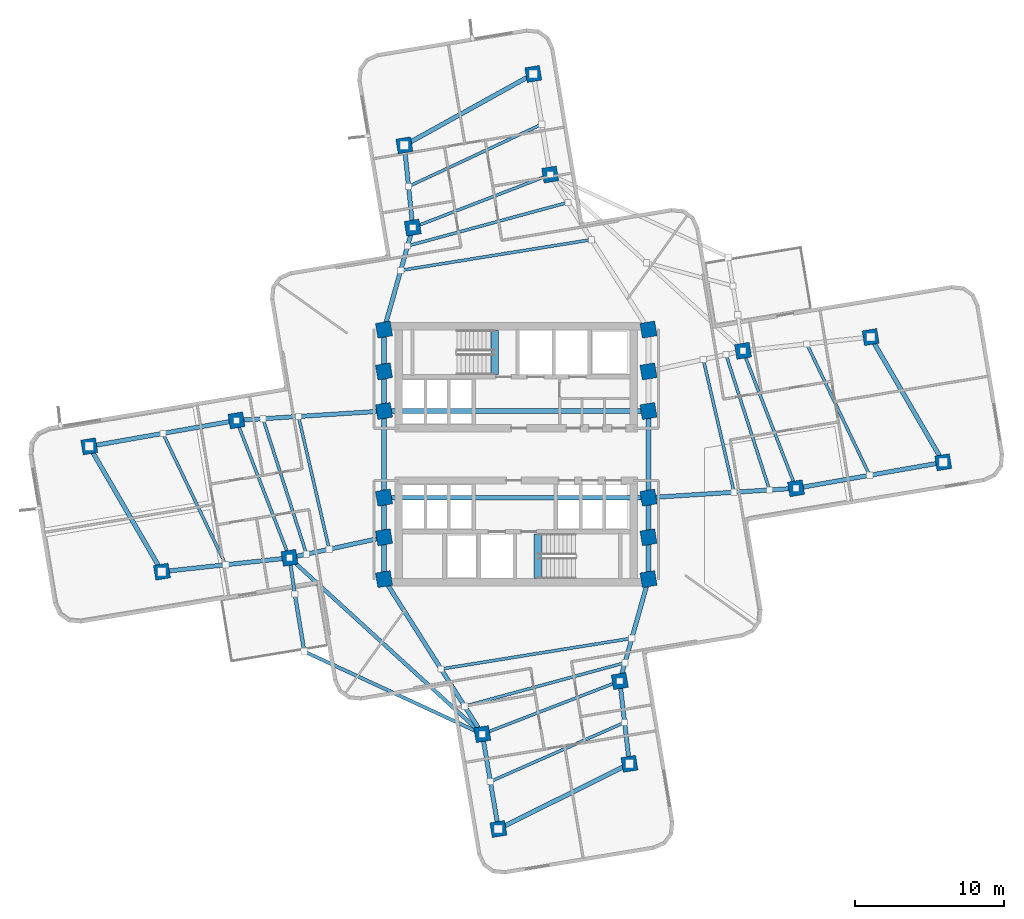
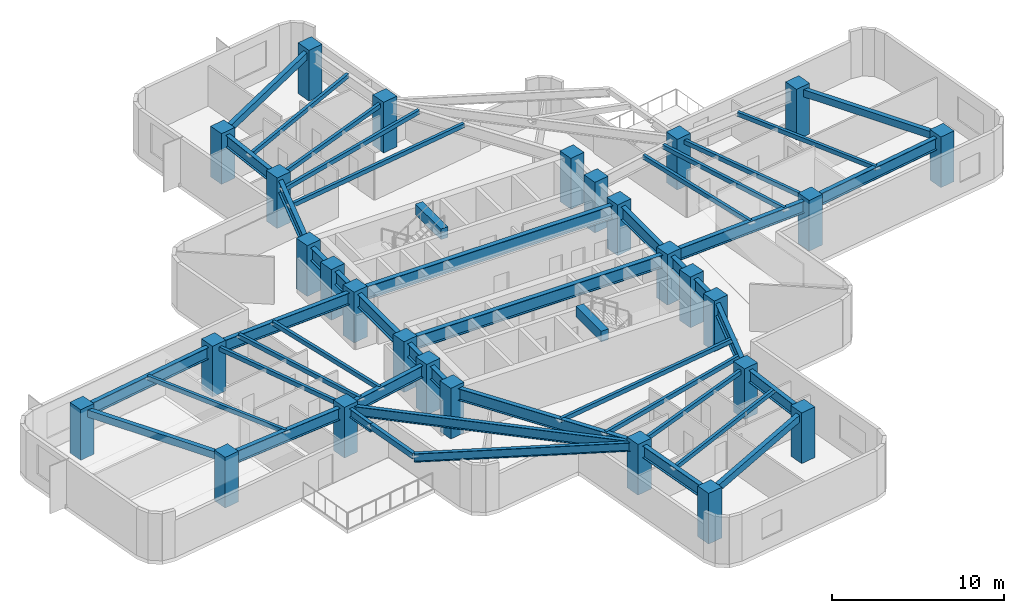
# One storey, part 1 of 9: 48 beams, 28 columns.
"""IFC4 building model written with IfcOpenShell, lengths in metres."""

from ifc_helpers import new_model, si_unit, direction, frame, origin, origin_2d, place, context, subcontext, project, spatial, rectangle, hollow_rectangle, i_section, extrude, material, material_profile, profile_set, type_object, element, save


model = new_model("IFC4")

# Units and contexts
model_context = context("Model", 3, precision=1e-05, world=origin(), true_north=direction((0.0, 1.0)))
body_context = subcontext(model_context, "Body", "Model", "MODEL_VIEW")
ifc_project = project(units=[si_unit("LENGTHUNIT", "METRE"), si_unit("AREAUNIT", "SQUARE_METRE"), si_unit("VOLUMEUNIT", "CUBIC_METRE"), si_unit("PLANEANGLEUNIT", "RADIAN"), si_unit("MASSUNIT", "GRAM", prefix="KILO")], contexts=[model_context])

# Site, building, storey
site_placement = place(None, origin())
site = spatial("IfcSite", under=ifc_project, at=site_placement, CompositionType="ELEMENT")
building_placement = place(site_placement, origin())
building = spatial("IfcBuilding", under=site, at=building_placement, Name="Solmarez Civic Tower", CompositionType="ELEMENT")
storey_placement = place(building_placement, frame((0.0, 0.0, 92.8798828125)))
storey = spatial("IfcBuildingStorey", under=building, at=storey_placement, Name="L24", CompositionType="ELEMENT", Elevation=92.8798828125)

# Columns
ifc_material_1 = material(Name="Concrete C60/75", Category="concrete")
ifc_material_profile_1 = material_profile(ifc_material_1, rectangle(XDim=1.0, YDim=1.0, at=origin_2d()), Name="RC1000X1000")
ifc_profile_set_1 = profile_set([ifc_material_profile_1], Name="Concrete C60/75")
column_type = type_object("IfcColumnType", Name="COL-RC1000", PredefinedType="COLUMN", material=ifc_profile_set_1)
for number, where, z_axis, x_axis, name in (
    (1, (-8.85009765625, -5.550048828125, 0.0), (0.0, 0.0, 1.0), (0.986572161607, 0.163325962242, 0.0), "L24 Structural Column HC1"),
    (2, (-8.85009765625, -2.89990234375, 0.0), (0.0, 0.0, 1.0), (0.986572161607, 0.163325962242, 0.0), "L24 Structural Column HC2"),
    (3, (-8.85009765625, 2.89990234375, 0.0), (0.0, 0.0, 1.0), (0.986572161607, 0.163325962242, 0.0), "L24 Structural Column HC3"),
    (4, (-8.85009765625, 5.550048828125, 0.0), (0.0, 0.0, 1.0), (0.986572161607, 0.163325962242, 0.0), "L24 Structural Column HC4"),
    (5, (8.85009765625, -5.550048828125, 0.0), (0.0, 0.0, 1.0), (0.986572161607, 0.163325962242, 0.0), "L24 Structural Column HC5"),
    (6, (8.85009765625, -2.89990234375, 0.0), (0.0, 0.0, 1.0), (0.986572161607, 0.163325962242, 0.0), "L24 Structural Column HC6"),
    (7, (8.85009765625, 2.89990234375, 0.0), (0.0, 0.0, 1.0), (0.986572161607, 0.163325962242, 0.0), "L24 Structural Column HC7"),
    (8, (8.85009765625, 5.550048828125, 0.0), (0.0, 0.0, 1.0), (0.986572161607, 0.163325962242, 0.0), "L24 Structural Column HC8"),
    (9, (-8.85009765625, 8.35009765625, 0.0), (0.0, 0.0, 1.0), (0.986572161607, 0.163325962242, 0.0), "L24 Structural Column HC9"),
    (10, (8.85009765625, -8.35009765625, 0.0), (0.0, 0.0, 1.0), (0.986572161607, 0.163325962242, 0.0), "L24 Structural Column HC10"),
    (11, (8.85009765625, 8.35009765625, 0.0), (0.0, 0.0, 1.0), (0.986572161607, 0.163325962242, 0.0), "L24 Structural Column HC11"),
    (12, (-8.85009765625, -8.35009765625, 0.0), (0.0, 0.0, 1.0), (0.986572161607, 0.163325962242, 0.0), "L24 Structural Column HC12"),
    (13, (18.72412109375, -2.27099609375, 0.0), (0.0, 0.0, 1.0), (0.986572161607, 0.163325962242, 0.0), "L24 Structural Column EA11"),
    (14, (15.175048828125, 6.927001953125, 0.0), (0.0, 0.0, 1.0), (0.986572161607, 0.163325962242, 0.0), "L24 Structural Column EA12"),
    (15, (28.575927734375, -0.532958984375, 0.0), (0.0, 0.0, 1.0), (0.986572161607, 0.163325962242, 0.0), "L24 Structural Column EA21"),
    (16, (23.715087890625, 7.85107421875, 0.0), (0.0, 0.0, 1.0), (0.986572161607, 0.163325962242, 0.0), "L24 Structural Column EA22"),
    (17, (2.27099609375, 18.72412109375, 0.0), (0.0, 0.0, 1.0), (0.986572161607, 0.163325962242, 0.0), "L24 Structural Column NA11"),
    (18, (-6.927001953125, 15.175048828125, 0.0), (0.0, 0.0, 1.0), (0.986572161607, 0.163325962242, 0.0), "L24 Structural Column NA12"),
    (19, (1.138916015625, 25.45703125, 0.0), (0.0, 0.0, 1.0), (0.986572161607, 0.163325962242, 0.0), "L24 Structural Column NA21"),
    (20, (-7.489013671875, 20.678955078125, 0.0), (0.0, 0.0, 1.0), (0.986572161607, 0.163325962242, 0.0), "L24 Structural Column NA22"),
    (21, (-18.72412109375, 2.27099609375, 0.0), (0.0, 0.0, 1.0), (0.986572161607, 0.163325962242, 0.0), "L24 Structural Column WA11"),
    (22, (-15.175048828125, -6.927001953125, 0.0), (0.0, 0.0, 1.0), (0.986572161607, 0.163325962242, 0.0), "L24 Structural Column WA12"),
    (23, (-28.575927734375, 0.532958984375, 0.0), (0.0, 0.0, 1.0), (0.986572161607, 0.163325962242, 0.0), "L24 Structural Column WA21"),
    (24, (-23.715087890625, -7.85107421875, 0.0), (0.0, 0.0, 1.0), (0.986572161607, 0.163325962242, 0.0), "L24 Structural Column WA22"),
    (25, (-2.27099609375, -18.72412109375, 0.0), (0.0, 0.0, 1.0), (0.986572161607, 0.163325962242, 0.0), "L24 Structural Column SA11"),
    (26, (6.927001953125, -15.175048828125, 0.0), (0.0, 0.0, 1.0), (0.986572161607, 0.163325962242, 0.0), "L24 Structural Column SA12"),
    (27, (-1.195068359375, -25.073974609375, 0.0), (0.0, 0.0, 1.0), (0.986572161607, 0.163325962242, 0.0), "L24 Structural Column SA21"),
    (28, (7.573974609375, -20.714111328125, 0.0), (0.0, 0.0, 1.0), (0.986572161607, 0.163325962242, 0.0), "L24 Structural Column SA22"),
):
    element("IfcColumn", number, at=place(storey_placement, frame(where, z_axis=z_axis, x_axis=x_axis)), inside=storey, type_object=column_type, Name=name, PredefinedType="COLUMN", context=body_context, shape_type="SweptSolid", body=[
        extrude(rectangle(XDim=1.0, YDim=1.0, at=origin_2d()), origin(), (0.0, 0.0, 1.0), 3.60009765625),
    ])

# Beams
ifc_material_2 = material(Name="Steel S355", Category="steel")
ifc_material_profile_2 = material_profile(ifc_material_2, hollow_rectangle(XDim=0.199951171875, YDim=0.300048828125, WallThickness=0.011962890625, at=origin_2d()), Name="HSS300X200X12")
ifc_profile_set_2 = profile_set([ifc_material_profile_2], Name="Steel S355")
beam_type_1 = type_object("IfcBeamType", Name="BM-JS-HSS300X200", PredefinedType="JOIST", material=ifc_profile_set_2)
beam_1_placement = place(storey_placement, frame((18.72412109375, -2.27099609375, 3.190185546875), z_axis=(-0.359984466214, 0.932958297077, 0.0), x_axis=(-0.932958297077, -0.359984466214, 0.0)))
element("IfcBeam", 29, at=beam_1_placement, inside=storey, type_object=beam_type_1, Name="L24 Secondary Floor Joist BM-L24-EA-T1", PredefinedType="JOIST", context=body_context, shape_type="SweptSolid", body=[
    extrude(hollow_rectangle(XDim=0.199951171875, YDim=0.300048828125, WallThickness=0.011962890625, at=origin_2d()), origin(), (0.0, 0.0, 1.0), 9.85888671875),
])
beam_2_placement = place(storey_placement, frame((23.64990234375, -1.402099609375, 3.190185546875), z_axis=(-0.431491843414, 0.902116837814, 0.0), x_axis=(-0.902116837814, -0.431491843414, 0.0)))
element("IfcBeam", 30, at=beam_2_placement, inside=storey, type_object=beam_type_1, Name="L24 Secondary Floor Joist JS-L24-EA-M2", PredefinedType="JOIST", context=body_context, shape_type="SweptSolid", body=[
    extrude(hollow_rectangle(XDim=0.199951171875, YDim=0.300048828125, WallThickness=0.011962890625, at=origin_2d()), origin(), (0.0, 0.0, 1.0), 9.744873046875),
])
beam_3_placement = place(storey_placement, frame((14.576904296875, -2.534912109375, 3.190185546875), z_axis=(-0.225762717226, 0.974182321494, 0.0), x_axis=(-0.974182321494, -0.225762717226, 0.0)))
element("IfcBeam", 31, at=beam_3_placement, inside=storey, type_object=beam_type_1, Name="L24 Secondary Floor Joist JS-L24-EA-M11", PredefinedType="JOIST", context=body_context, shape_type="SweptSolid", body=[
    extrude(hollow_rectangle(XDim=0.199951171875, YDim=0.300048828125, WallThickness=0.011962890625, at=origin_2d()), origin(), (0.0, 0.0, 1.0), 9.119384765625),
])
beam_4_placement = place(storey_placement, frame((16.947021484375, -2.384033203125, 3.190185546875), z_axis=(-0.305705295997, 0.952126184914, 0.0), x_axis=(-0.952126184914, -0.305705295997, 0.0)))
element("IfcBeam", 32, at=beam_4_placement, inside=storey, type_object=beam_type_1, Name="L24 Secondary Floor Joist JS-L24-EA-M12", PredefinedType="JOIST", context=body_context, shape_type="SweptSolid", body=[
    extrude(hollow_rectangle(XDim=0.199951171875, YDim=0.300048828125, WallThickness=0.011962890625, at=origin_2d()), origin(), (0.0, 0.0, 1.0), 9.518798828125),
])
beam_5_placement = place(storey_placement, frame((2.27099609375, 18.72412109375, 3.190185546875), z_axis=(-0.932958297077, -0.359984466214, 0.0), x_axis=(0.359984466214, -0.932958297077, 0.0)))
element("IfcBeam", 33, at=beam_5_placement, inside=storey, type_object=beam_type_1, Name="L24 Secondary Floor Joist BM-L24-NA-T1", PredefinedType="JOIST", context=body_context, shape_type="SweptSolid", body=[
    extrude(hollow_rectangle(XDim=0.199951171875, YDim=0.300048828125, WallThickness=0.011962890625, at=origin_2d()), origin(), (0.0, 0.0, 1.0), 9.85888671875),
])
beam_6_placement = place(storey_placement, frame((1.705078125, 22.090087890625, 3.190185546875), z_axis=(-0.906041066986, -0.423189774138, 0.0), x_axis=(0.423189774138, -0.906041066986, 0.0)))
element("IfcBeam", 34, at=beam_6_placement, inside=storey, type_object=beam_type_1, Name="L24 Secondary Floor Joist JS-L24-NA-M2", PredefinedType="JOIST", context=body_context, shape_type="SweptSolid", body=[
    extrude(hollow_rectangle(XDim=0.199951171875, YDim=0.300048828125, WallThickness=0.011962890625, at=origin_2d()), origin(), (0.0, 0.0, 1.0), 9.83740234375),
])
beam_7_placement = place(storey_placement, frame((5.033935546875, 14.366943359375, 3.190185546875), z_axis=(-0.987261309887, -0.159107215423, 0.0), x_axis=(0.159107215423, -0.987261309887, 0.0)))
element("IfcBeam", 35, at=beam_7_placement, inside=storey, type_object=beam_type_1, Name="L24 Secondary Floor Joist JS-L24-NA-M11", PredefinedType="JOIST", context=body_context, shape_type="SweptSolid", body=[
    extrude(hollow_rectangle(XDim=0.199951171875, YDim=0.300048828125, WallThickness=0.011962890625, at=origin_2d()), origin(), (0.0, 0.0, 1.0), 12.933837890625),
])
beam_8_placement = place(storey_placement, frame((3.455078125, 16.85693359375, 3.190185546875), z_axis=(-0.965126314795, -0.261784637614, 0.0), x_axis=(0.261784637614, -0.965126314795, 0.0)))
element("IfcBeam", 36, at=beam_8_placement, inside=storey, type_object=beam_type_1, Name="L24 Secondary Floor Joist JS-L24-NA-M12", PredefinedType="JOIST", context=body_context, shape_type="SweptSolid", body=[
    extrude(hollow_rectangle(XDim=0.199951171875, YDim=0.300048828125, WallThickness=0.011962890625, at=origin_2d()), origin(), (0.0, 0.0, 1.0), 11.11572265625),
])
beam_9_placement = place(storey_placement, frame((-18.72412109375, 2.27099609375, 3.190185546875), z_axis=(0.359984466214, -0.932958297077, 0.0), x_axis=(0.932958297077, 0.359984466214, 0.0)))
element("IfcBeam", 37, at=beam_9_placement, inside=storey, type_object=beam_type_1, Name="L24 Secondary Floor Joist BM-L24-WA-T1", PredefinedType="JOIST", context=body_context, shape_type="SweptSolid", body=[
    extrude(hollow_rectangle(XDim=0.199951171875, YDim=0.300048828125, WallThickness=0.011962890625, at=origin_2d()), origin(), (0.0, 0.0, 1.0), 9.85888671875),
])
beam_10_placement = place(storey_placement, frame((-23.64990234375, 1.402099609375, 3.190185546875), z_axis=(0.431491843414, -0.902116837814, 0.0), x_axis=(0.902116837814, 0.431491843414, 0.0)))
element("IfcBeam", 38, at=beam_10_placement, inside=storey, type_object=beam_type_1, Name="L24 Secondary Floor Joist JS-L24-WA-M2", PredefinedType="JOIST", context=body_context, shape_type="SweptSolid", body=[
    extrude(hollow_rectangle(XDim=0.199951171875, YDim=0.300048828125, WallThickness=0.011962890625, at=origin_2d()), origin(), (0.0, 0.0, 1.0), 9.744873046875),
])
beam_11_placement = place(storey_placement, frame((-14.576904296875, 2.534912109375, 3.190185546875), z_axis=(0.225762717226, -0.974182321494, 0.0), x_axis=(0.974182321494, 0.225762717226, 0.0)))
element("IfcBeam", 39, at=beam_11_placement, inside=storey, type_object=beam_type_1, Name="L24 Secondary Floor Joist JS-L24-WA-M11", PredefinedType="JOIST", context=body_context, shape_type="SweptSolid", body=[
    extrude(hollow_rectangle(XDim=0.199951171875, YDim=0.300048828125, WallThickness=0.011962890625, at=origin_2d()), origin(), (0.0, 0.0, 1.0), 9.119384765625),
])
beam_12_placement = place(storey_placement, frame((-16.947021484375, 2.384033203125, 3.190185546875), z_axis=(0.305705295997, -0.952126184914, 0.0), x_axis=(0.952126184914, 0.305705295997, 0.0)))
element("IfcBeam", 40, at=beam_12_placement, inside=storey, type_object=beam_type_1, Name="L24 Secondary Floor Joist JS-L24-WA-M12", PredefinedType="JOIST", context=body_context, shape_type="SweptSolid", body=[
    extrude(hollow_rectangle(XDim=0.199951171875, YDim=0.300048828125, WallThickness=0.011962890625, at=origin_2d()), origin(), (0.0, 0.0, 1.0), 9.518798828125),
])
beam_13_placement = place(storey_placement, frame((-2.27099609375, -18.72412109375, 3.190185546875), z_axis=(0.932958297077, 0.359984466214, 0.0), x_axis=(-0.359984466214, 0.932958297077, 0.0)))
element("IfcBeam", 41, at=beam_13_placement, inside=storey, type_object=beam_type_1, Name="L24 Secondary Floor Joist BM-L24-SA-T1", PredefinedType="JOIST", context=body_context, shape_type="SweptSolid", body=[
    extrude(hollow_rectangle(XDim=0.199951171875, YDim=0.300048828125, WallThickness=0.011962890625, at=origin_2d()), origin(), (0.0, 0.0, 1.0), 9.85888671875),
])
beam_14_placement = place(storey_placement, frame((-1.73291015625, -21.89892578125, 3.190185546875), z_axis=(0.915226616427, 0.402939499905, 0.0), x_axis=(-0.402939499905, 0.915226616427, 0.0)))
element("IfcBeam", 42, at=beam_14_placement, inside=storey, type_object=beam_type_1, Name="L24 Secondary Floor Joist JS-L24-SA-M2", PredefinedType="JOIST", context=body_context, shape_type="SweptSolid", body=[
    extrude(hollow_rectangle(XDim=0.199951171875, YDim=0.300048828125, WallThickness=0.011962890625, at=origin_2d()), origin(), (0.0, 0.0, 1.0), 9.81494140625),
])
beam_15_placement = place(storey_placement, frame((-5.033935546875, -14.366943359375, 3.190185546875), z_axis=(0.987261309887, 0.159107215423, 0.0), x_axis=(-0.159107215423, 0.987261309887, 0.0)))
element("IfcBeam", 43, at=beam_15_placement, inside=storey, type_object=beam_type_1, Name="L24 Secondary Floor Joist JS-L24-SA-M11", PredefinedType="JOIST", context=body_context, shape_type="SweptSolid", body=[
    extrude(hollow_rectangle(XDim=0.199951171875, YDim=0.300048828125, WallThickness=0.011962890625, at=origin_2d()), origin(), (0.0, 0.0, 1.0), 12.933837890625),
])
beam_16_placement = place(storey_placement, frame((-3.455078125, -16.85693359375, 3.190185546875), z_axis=(0.965126314795, 0.261784637614, 0.0), x_axis=(-0.261784637614, 0.965126314795, 0.0)))
element("IfcBeam", 44, at=beam_16_placement, inside=storey, type_object=beam_type_1, Name="L24 Secondary Floor Joist JS-L24-SA-M12", PredefinedType="JOIST", context=body_context, shape_type="SweptSolid", body=[
    extrude(hollow_rectangle(XDim=0.199951171875, YDim=0.300048828125, WallThickness=0.011962890625, at=origin_2d()), origin(), (0.0, 0.0, 1.0), 11.11572265625),
])
ifc_material_3 = material(Name="Concrete C50/60", Category="concrete")
ifc_material_profile_3 = material_profile(ifc_material_3, rectangle(XDim=0.5, YDim=0.75, at=origin_2d()), Name="RC500X750")
ifc_profile_set_3 = profile_set([ifc_material_profile_3], Name="Concrete C50/60")
beam_type_2 = type_object("IfcBeamType", Name="BM-PR-RC500X750", PredefinedType="BEAM", material=ifc_profile_set_3)
for number, where, z_axis, x_axis, name in (
    (45, (-1.449951171875, 5.340087890625, 3.233154296875), (0.0, 1.0, 0.0), (-1.0, 0.0, 0.0), "L24 North Stair Threshold Beam"),
    (46, (1.449951171875, -8.300048828125, 3.233154296875), (0.0, 1.0, 0.0), (-1.0, 0.0, 0.0), "L24 South Stair Threshold Beam"),
):
    element("IfcBeam", number, at=place(storey_placement, frame(where, z_axis=z_axis, x_axis=x_axis)), inside=storey, type_object=beam_type_2, Name=name, PredefinedType="BEAM", context=body_context, shape_type="SweptSolid", body=[
        extrude(rectangle(XDim=0.5, YDim=0.75, at=origin_2d()), origin(), (0.0, 0.0, 1.0), 2.9599609375),
    ])
ifc_material_profile_4 = material_profile(ifc_material_2, i_section(OverallWidth=0.25390625, OverallDepth=0.68798828125, WebThickness=0.01318359375, FlangeThickness=0.02099609375, at=origin_2d()), Name="W27X102")
ifc_profile_set_4 = profile_set([ifc_material_profile_4], Name="Steel S355")
beam_type_3 = type_object("IfcBeamType", Name="BM-PR-W27X102", PredefinedType="BEAM", material=ifc_profile_set_4)
beam_17_placement = place(storey_placement, frame((-15.175048828125, -6.927001953125, 2.99609375), z_axis=(0.738053646973, -0.674742035292, 0.0), x_axis=(0.674742035292, 0.738053646973, 0.0)))
element("IfcBeam", 47, at=beam_17_placement, inside=storey, type_object=beam_type_3, Name="L24 Primary Floor Beam BM-L24-BALC-SWC", PredefinedType="BEAM", context=body_context, shape_type="SweptSolid", body=[
    extrude(i_section(OverallWidth=0.25390625, OverallDepth=0.68798828125, WebThickness=0.01318359375, FlangeThickness=0.02099609375, at=origin_2d()), origin(), (0.0, 0.0, 1.0), 17.48388671875),
])
ifc_material_profile_5 = material_profile(ifc_material_2, i_section(OverallWidth=0.2919921875, OverallDepth=0.845947265625, WebThickness=0.015380859375, FlangeThickness=0.0244140625, at=origin_2d()), Name="W33X141")
ifc_profile_set_5 = profile_set([ifc_material_profile_5], Name="Steel S355")
beam_type_4 = type_object("IfcBeamType", Name="BM-PR-W33X141", PredefinedType="BEAM", material=ifc_profile_set_5)
beam_18_placement = place(storey_placement, frame((8.85009765625, -2.89990234375, 2.917236328125), z_axis=(0.997977751208, 0.063564204508, 0.0), x_axis=(-0.063564204508, 0.997977751208, 0.0)))
element("IfcBeam", 48, at=beam_18_placement, inside=storey, type_object=beam_type_4, Name="L24 Primary Floor Beam BM-L24-EA-R1A", PredefinedType="BEAM", context=body_context, shape_type="SweptSolid", body=[
    extrude(i_section(OverallWidth=0.2919921875, OverallDepth=0.845947265625, WebThickness=0.015380859375, FlangeThickness=0.0244140625, at=origin_2d()), origin(), (0.0, 0.0, 1.0), 9.89404296875),
])
beam_19_placement = place(storey_placement, frame((18.72412109375, -2.27099609375, 2.917236328125), z_axis=(0.984792402105, 0.173735214497, 0.0), x_axis=(-0.173735214497, 0.984792402105, 0.0)))
element("IfcBeam", 49, at=beam_19_placement, inside=storey, type_object=beam_type_4, Name="L24 Primary Floor Beam BM-L24-EA-R2A", PredefinedType="BEAM", context=body_context, shape_type="SweptSolid", body=[
    extrude(i_section(OverallWidth=0.2919921875, OverallDepth=0.845947265625, WebThickness=0.015380859375, FlangeThickness=0.0244140625, at=origin_2d()), origin(), (0.0, 0.0, 1.0), 10.00390625),
])
beam_20_placement = place(storey_placement, frame((-8.85009765625, 8.35009765625, 2.917236328125), z_axis=(0.271213183726, 0.962519303169, 0.0), x_axis=(-0.962519303169, 0.271213183726, 0.0)))
element("IfcBeam", 50, at=beam_20_placement, inside=storey, type_object=beam_type_4, Name="L24 Primary Floor Beam BM-L24-NA-R1B", PredefinedType="BEAM", context=body_context, shape_type="SweptSolid", body=[
    extrude(i_section(OverallWidth=0.2919921875, OverallDepth=0.845947265625, WebThickness=0.015380859375, FlangeThickness=0.0244140625, at=origin_2d()), origin(), (0.0, 0.0, 1.0), 7.0908203125),
])
beam_21_placement = place(storey_placement, frame((-6.927001953125, 15.175048828125, 2.917236328125), z_axis=(-0.101583208843, 0.994827046115, 0.0), x_axis=(-0.994827046115, -0.101583208843, 0.0)))
element("IfcBeam", 51, at=beam_21_placement, inside=storey, type_object=beam_type_4, Name="L24 Primary Floor Beam BM-L24-NA-R2B", PredefinedType="BEAM", context=body_context, shape_type="SweptSolid", body=[
    extrude(i_section(OverallWidth=0.2919921875, OverallDepth=0.845947265625, WebThickness=0.015380859375, FlangeThickness=0.0244140625, at=origin_2d()), origin(), (0.0, 0.0, 1.0), 5.532470703125),
])
beam_22_placement = place(storey_placement, frame((-8.85009765625, 2.89990234375, 2.917236328125), z_axis=(-0.997977751208, -0.063564204508, 0.0), x_axis=(0.063564204508, -0.997977751208, 0.0)))
element("IfcBeam", 52, at=beam_22_placement, inside=storey, type_object=beam_type_4, Name="L24 Primary Floor Beam BM-L24-WA-R1A", PredefinedType="BEAM", context=body_context, shape_type="SweptSolid", body=[
    extrude(i_section(OverallWidth=0.2919921875, OverallDepth=0.845947265625, WebThickness=0.015380859375, FlangeThickness=0.0244140625, at=origin_2d()), origin(), (0.0, 0.0, 1.0), 9.89404296875),
])
beam_23_placement = place(storey_placement, frame((-8.85009765625, -5.550048828125, 2.917236328125), z_axis=(-0.977113347202, -0.212719314402, 0.0), x_axis=(0.212719314402, -0.977113347202, 0.0)))
element("IfcBeam", 53, at=beam_23_placement, inside=storey, type_object=beam_type_4, Name="L24 Primary Floor Beam BM-L24-WA-R1B", PredefinedType="BEAM", context=body_context, shape_type="SweptSolid", body=[
    extrude(i_section(OverallWidth=0.2919921875, OverallDepth=0.845947265625, WebThickness=0.015380859375, FlangeThickness=0.0244140625, at=origin_2d()), origin(), (0.0, 0.0, 1.0), 6.47314453125),
])
beam_24_placement = place(storey_placement, frame((-18.72412109375, 2.27099609375, 2.917236328125), z_axis=(-0.984792402105, -0.173735214497, 0.0), x_axis=(0.173735214497, -0.984792402105, 0.0)))
element("IfcBeam", 54, at=beam_24_placement, inside=storey, type_object=beam_type_4, Name="L24 Primary Floor Beam BM-L24-WA-R2A", PredefinedType="BEAM", context=body_context, shape_type="SweptSolid", body=[
    extrude(i_section(OverallWidth=0.2919921875, OverallDepth=0.845947265625, WebThickness=0.015380859375, FlangeThickness=0.0244140625, at=origin_2d()), origin(), (0.0, 0.0, 1.0), 10.00390625),
])
beam_25_placement = place(storey_placement, frame((-15.175048828125, -6.927001953125, 2.917236328125), z_axis=(-0.994196782435, -0.107576753045, 0.0), x_axis=(0.107576753045, -0.994196782435, 0.0)))
element("IfcBeam", 55, at=beam_25_placement, inside=storey, type_object=beam_type_4, Name="L24 Primary Floor Beam BM-L24-WA-R2B", PredefinedType="BEAM", context=body_context, shape_type="SweptSolid", body=[
    extrude(i_section(OverallWidth=0.2919921875, OverallDepth=0.845947265625, WebThickness=0.015380859375, FlangeThickness=0.0244140625, at=origin_2d()), origin(), (0.0, 0.0, 1.0), 8.58984375),
])
beam_26_placement = place(storey_placement, frame((-8.85009765625, -8.35009765625, 2.917236328125), z_axis=(0.535568299099, -0.84449191648, 0.0), x_axis=(0.84449191648, 0.535568299099, 0.0)))
element("IfcBeam", 56, at=beam_26_placement, inside=storey, type_object=beam_type_4, Name="L24 Primary Floor Beam BM-L24-SA-R1A", PredefinedType="BEAM", context=body_context, shape_type="SweptSolid", body=[
    extrude(i_section(OverallWidth=0.2919921875, OverallDepth=0.845947265625, WebThickness=0.015380859375, FlangeThickness=0.0244140625, at=origin_2d()), origin(), (0.0, 0.0, 1.0), 12.284423828125),
])
beam_27_placement = place(storey_placement, frame((8.85009765625, -8.35009765625, 2.917236328125), z_axis=(-0.271213183726, -0.962519303169, 0.0), x_axis=(0.962519303169, -0.271213183726, 0.0)))
element("IfcBeam", 57, at=beam_27_placement, inside=storey, type_object=beam_type_4, Name="L24 Primary Floor Beam BM-L24-SA-R1B", PredefinedType="BEAM", context=body_context, shape_type="SweptSolid", body=[
    extrude(i_section(OverallWidth=0.2919921875, OverallDepth=0.845947265625, WebThickness=0.015380859375, FlangeThickness=0.0244140625, at=origin_2d()), origin(), (0.0, 0.0, 1.0), 7.0908203125),
])
beam_28_placement = place(storey_placement, frame((-2.27099609375, -18.72412109375, 2.917236328125), z_axis=(0.167060138422, -0.985946707561, 0.0), x_axis=(0.985946707561, 0.167060138422, 0.0)))
element("IfcBeam", 58, at=beam_28_placement, inside=storey, type_object=beam_type_4, Name="L24 Primary Floor Beam BM-L24-SA-R2A", PredefinedType="BEAM", context=body_context, shape_type="SweptSolid", body=[
    extrude(i_section(OverallWidth=0.2919921875, OverallDepth=0.845947265625, WebThickness=0.015380859375, FlangeThickness=0.0244140625, at=origin_2d()), origin(), (0.0, 0.0, 1.0), 6.4404296875),
])
beam_29_placement = place(storey_placement, frame((6.927001953125, -15.175048828125, 2.917236328125), z_axis=(0.11601314993, -0.993247677593, 0.0), x_axis=(0.993247677593, 0.11601314993, 0.0)))
element("IfcBeam", 59, at=beam_29_placement, inside=storey, type_object=beam_type_4, Name="L24 Primary Floor Beam BM-L24-SA-R2B", PredefinedType="BEAM", context=body_context, shape_type="SweptSolid", body=[
    extrude(i_section(OverallWidth=0.2919921875, OverallDepth=0.845947265625, WebThickness=0.015380859375, FlangeThickness=0.0244140625, at=origin_2d()), origin(), (0.0, 0.0, 1.0), 5.57666015625),
])
ifc_material_profile_6 = material_profile(ifc_material_2, i_section(OverallWidth=0.306884765625, OverallDepth=0.927001953125, WebThickness=0.019287109375, FlangeThickness=0.031982421875, at=origin_2d()), Name="W36X194")
ifc_profile_set_6 = profile_set([ifc_material_profile_6], Name="Steel S355")
beam_type_5 = type_object("IfcBeamType", Name="BM-PR-W36X194", PredefinedType="BEAM", material=ifc_profile_set_6)
beam_30_placement = place(storey_placement, frame((-8.85009765625, -8.35009765625, 2.877197265625), z_axis=(0.0, 1.0, 0.0), x_axis=(-1.0, 0.0, 0.0)))
element("IfcBeam", 60, at=beam_30_placement, inside=storey, type_object=beam_type_5, Name="L24 Primary Floor Beam BM-L24-HC12-HC1", PredefinedType="BEAM", context=body_context, shape_type="SweptSolid", body=[
    extrude(i_section(OverallWidth=0.306884765625, OverallDepth=0.927001953125, WebThickness=0.019287109375, FlangeThickness=0.031982421875, at=origin_2d()), origin(), (0.0, 0.0, 1.0), 2.800048828125),
])
beam_31_placement = place(storey_placement, frame((-8.85009765625, -5.550048828125, 2.877197265625), z_axis=(0.0, 1.0, 0.0), x_axis=(-1.0, 0.0, 0.0)))
element("IfcBeam", 61, at=beam_31_placement, inside=storey, type_object=beam_type_5, Name="L24 Primary Floor Beam BM-L24-HC1-HC2", PredefinedType="BEAM", context=body_context, shape_type="SweptSolid", body=[
    extrude(i_section(OverallWidth=0.306884765625, OverallDepth=0.927001953125, WebThickness=0.019287109375, FlangeThickness=0.031982421875, at=origin_2d()), origin(), (0.0, 0.0, 1.0), 2.650146484375),
])
beam_32_placement = place(storey_placement, frame((-8.85009765625, -2.89990234375, 2.877197265625), z_axis=(0.0, 1.0, 0.0), x_axis=(-1.0, 0.0, 0.0)))
element("IfcBeam", 62, at=beam_32_placement, inside=storey, type_object=beam_type_5, Name="L24 Primary Floor Beam BM-L24-HC2-HC3", PredefinedType="BEAM", context=body_context, shape_type="SweptSolid", body=[
    extrude(i_section(OverallWidth=0.306884765625, OverallDepth=0.927001953125, WebThickness=0.019287109375, FlangeThickness=0.031982421875, at=origin_2d()), origin(), (0.0, 0.0, 1.0), 5.7998046875),
])
beam_33_placement = place(storey_placement, frame((-8.85009765625, 2.89990234375, 2.877197265625), z_axis=(0.0, 1.0, 0.0), x_axis=(-1.0, 0.0, 0.0)))
element("IfcBeam", 63, at=beam_33_placement, inside=storey, type_object=beam_type_5, Name="L24 Primary Floor Beam BM-L24-HC3-HC4", PredefinedType="BEAM", context=body_context, shape_type="SweptSolid", body=[
    extrude(i_section(OverallWidth=0.306884765625, OverallDepth=0.927001953125, WebThickness=0.019287109375, FlangeThickness=0.031982421875, at=origin_2d()), origin(), (0.0, 0.0, 1.0), 2.650146484375),
])
for number, where, z_axis, x_axis, name in (
    (64, (-8.85009765625, 5.550048828125, 2.877197265625), (0.0, 1.0, 0.0), (-1.0, 0.0, 0.0), "L24 Primary Floor Beam BM-L24-HC4-HC9"),
    (65, (8.85009765625, -8.35009765625, 2.877197265625), (0.0, 1.0, 0.0), (-1.0, 0.0, 0.0), "L24 Primary Floor Beam BM-L24-HC10-HC5"),
):
    element("IfcBeam", number, at=place(storey_placement, frame(where, z_axis=z_axis, x_axis=x_axis)), inside=storey, type_object=beam_type_5, Name=name, PredefinedType="BEAM", context=body_context, shape_type="SweptSolid", body=[
        extrude(i_section(OverallWidth=0.306884765625, OverallDepth=0.927001953125, WebThickness=0.019287109375, FlangeThickness=0.031982421875, at=origin_2d()), origin(), (0.0, 0.0, 1.0), 2.800048828125),
    ])
beam_34_placement = place(storey_placement, frame((8.85009765625, -5.550048828125, 2.877197265625), z_axis=(0.0, 1.0, 0.0), x_axis=(-1.0, 0.0, 0.0)))
element("IfcBeam", 66, at=beam_34_placement, inside=storey, type_object=beam_type_5, Name="L24 Primary Floor Beam BM-L24-HC5-HC6", PredefinedType="BEAM", context=body_context, shape_type="SweptSolid", body=[
    extrude(i_section(OverallWidth=0.306884765625, OverallDepth=0.927001953125, WebThickness=0.019287109375, FlangeThickness=0.031982421875, at=origin_2d()), origin(), (0.0, 0.0, 1.0), 2.650146484375),
])
beam_35_placement = place(storey_placement, frame((8.85009765625, -2.89990234375, 2.877197265625), z_axis=(0.0, 1.0, 0.0), x_axis=(-1.0, 0.0, 0.0)))
element("IfcBeam", 67, at=beam_35_placement, inside=storey, type_object=beam_type_5, Name="L24 Primary Floor Beam BM-L24-HC6-HC7", PredefinedType="BEAM", context=body_context, shape_type="SweptSolid", body=[
    extrude(i_section(OverallWidth=0.306884765625, OverallDepth=0.927001953125, WebThickness=0.019287109375, FlangeThickness=0.031982421875, at=origin_2d()), origin(), (0.0, 0.0, 1.0), 5.7998046875),
])
for number, where, z_axis, x_axis, name in (
    (68, (-8.85009765625, -2.89990234375, 2.877197265625), (1.0, 0.0, 0.0), (0.0, 1.0, 0.0), "L24 Primary Floor Beam BM-L24-HC2-HC6"),
    (69, (-8.85009765625, 2.89990234375, 2.877197265625), (1.0, 0.0, 0.0), (0.0, 1.0, 0.0), "L24 Primary Floor Beam BM-L24-HC3-HC7"),
):
    element("IfcBeam", number, at=place(storey_placement, frame(where, z_axis=z_axis, x_axis=x_axis)), inside=storey, type_object=beam_type_5, Name=name, PredefinedType="BEAM", context=body_context, shape_type="SweptSolid", body=[
        extrude(i_section(OverallWidth=0.306884765625, OverallDepth=0.927001953125, WebThickness=0.019287109375, FlangeThickness=0.031982421875, at=origin_2d()), origin(), (0.0, 0.0, 1.0), 17.7001953125),
    ])
ifc_material_profile_7 = material_profile(ifc_material_2, hollow_rectangle(XDim=0.25, YDim=0.39990234375, WallThickness=0.01611328125, at=origin_2d()), Name="HSS400X250X16")
ifc_profile_set_7 = profile_set([ifc_material_profile_7], Name="Steel S355")
beam_type_6 = type_object("IfcBeamType", Name="BM-SP-HSS400X250", PredefinedType="SPANDREL", material=ifc_profile_set_7)
beam_36_placement = place(storey_placement, frame((-14.822998046875, -9.345947265625, 3.14013671875), z_axis=(0.163302678934, -0.986576015851, 0.0), x_axis=(0.986576015851, 0.163302678934, 0.0)))
element("IfcBeam", 70, at=beam_36_placement, inside=storey, type_object=beam_type_6, Name="L24 Perimeter Spandrel Beam BM-L24-BALC-SWE", PredefinedType="SPANDREL", context=body_context, shape_type="SweptSolid", body=[
    extrude(hollow_rectangle(XDim=0.25, YDim=0.39990234375, WallThickness=0.01611328125, at=origin_2d()), origin(), (0.0, 0.0, 1.0), 3.900390625),
])
ifc_material_profile_8 = material_profile(ifc_material_2, hollow_rectangle(XDim=0.300048828125, YDim=0.5, WallThickness=0.02001953125, at=origin_2d()), Name="HSS500X300X20")
ifc_profile_set_8 = profile_set([ifc_material_profile_8], Name="Steel S355")
beam_type_7 = type_object("IfcBeamType", Name="BM-SP-HSS500X300", PredefinedType="SPANDREL", material=ifc_profile_set_8)
beam_37_placement = place(storey_placement, frame((28.575927734375, -0.532958984375, 3.090087890625), z_axis=(-0.501571424933, 0.865116238254, 0.0), x_axis=(-0.865116238254, -0.501571424933, 0.0)))
element("IfcBeam", 71, at=beam_37_placement, inside=storey, type_object=beam_type_7, Name="L24 Perimeter Spandrel Beam BM-L24-EA-T2", PredefinedType="SPANDREL", context=body_context, shape_type="SweptSolid", body=[
    extrude(hollow_rectangle(XDim=0.300048828125, YDim=0.5, WallThickness=0.02001953125, at=origin_2d()), origin(), (0.0, 0.0, 1.0), 9.691162109375),
])
beam_38_placement = place(storey_placement, frame((1.138916015625, 25.45703125, 3.090087890625), z_axis=(-0.874811531682, -0.484463398035, 0.0), x_axis=(0.484463398035, -0.874811531682, 0.0)))
element("IfcBeam", 72, at=beam_38_placement, inside=storey, type_object=beam_type_7, Name="L24 Perimeter Spandrel Beam BM-L24-NA-T2", PredefinedType="SPANDREL", context=body_context, shape_type="SweptSolid", body=[
    extrude(hollow_rectangle(XDim=0.300048828125, YDim=0.5, WallThickness=0.02001953125, at=origin_2d()), origin(), (0.0, 0.0, 1.0), 9.862548828125),
])
beam_39_placement = place(storey_placement, frame((-28.575927734375, 0.532958984375, 3.090087890625), z_axis=(0.501571424933, -0.865116238254, 0.0), x_axis=(0.865116238254, 0.501571424933, 0.0)))
element("IfcBeam", 73, at=beam_39_placement, inside=storey, type_object=beam_type_7, Name="L24 Perimeter Spandrel Beam BM-L24-WA-T2", PredefinedType="SPANDREL", context=body_context, shape_type="SweptSolid", body=[
    extrude(hollow_rectangle(XDim=0.300048828125, YDim=0.5, WallThickness=0.02001953125, at=origin_2d()), origin(), (0.0, 0.0, 1.0), 9.691162109375),
])
beam_40_placement = place(storey_placement, frame((-1.195068359375, -25.073974609375, 3.090087890625), z_axis=(0.895432090654, 0.445198125589, 0.0), x_axis=(-0.445198125589, 0.895432090654, 0.0)))
element("IfcBeam", 74, at=beam_40_placement, inside=storey, type_object=beam_type_7, Name="L24 Perimeter Spandrel Beam BM-L24-SA-T2", PredefinedType="SPANDREL", context=body_context, shape_type="SweptSolid", body=[
    extrude(hollow_rectangle(XDim=0.300048828125, YDim=0.5, WallThickness=0.02001953125, at=origin_2d()), origin(), (0.0, 0.0, 1.0), 9.79296875),
])
ifc_material_profile_9 = material_profile(ifc_material_2, i_section(OverallWidth=0.22900390625, OverallDepth=0.612060546875, WebThickness=0.011962890625, FlangeThickness=0.01953125, at=origin_2d()), Name="W24X84")
ifc_profile_set_9 = profile_set([ifc_material_profile_9], Name="Steel S355")
beam_type_8 = type_object("IfcBeamType", Name="BM-SP-W24X84", PredefinedType="SPANDREL", material=ifc_profile_set_9)
beam_41_placement = place(storey_placement, frame((-15.175048828125, -6.927001953125, 3.0341796875), z_axis=(0.144021647449, -0.989574537398, 0.0), x_axis=(0.989574537398, 0.144021647449, 0.0)))
element("IfcBeam", 75, at=beam_41_placement, inside=storey, type_object=beam_type_8, Name="L24 Perimeter Spandrel Beam BM-L24-BALC-SW1", PredefinedType="SPANDREL", context=body_context, shape_type="SweptSolid", body=[
    extrude(i_section(OverallWidth=0.22900390625, OverallDepth=0.612060546875, WebThickness=0.011962890625, FlangeThickness=0.01953125, at=origin_2d()), origin(), (0.0, 0.0, 1.0), 2.4443359375),
])
beam_42_placement = place(storey_placement, frame((-2.27099609375, -18.72412109375, 3.0341796875), z_axis=(-0.907065750802, 0.420988982899, 0.0), x_axis=(-0.420988982899, -0.907065750802, 0.0)))
element("IfcBeam", 76, at=beam_42_placement, inside=storey, type_object=beam_type_8, Name="L24 Perimeter Spandrel Beam BM-L24-BALC-SW2", PredefinedType="SPANDREL", context=body_context, shape_type="SweptSolid", body=[
    extrude(i_section(OverallWidth=0.22900390625, OverallDepth=0.612060546875, WebThickness=0.011962890625, FlangeThickness=0.01953125, at=origin_2d()), origin(), (0.0, 0.0, 1.0), 13.1357421875),
])

save(model, "model.ifc")
